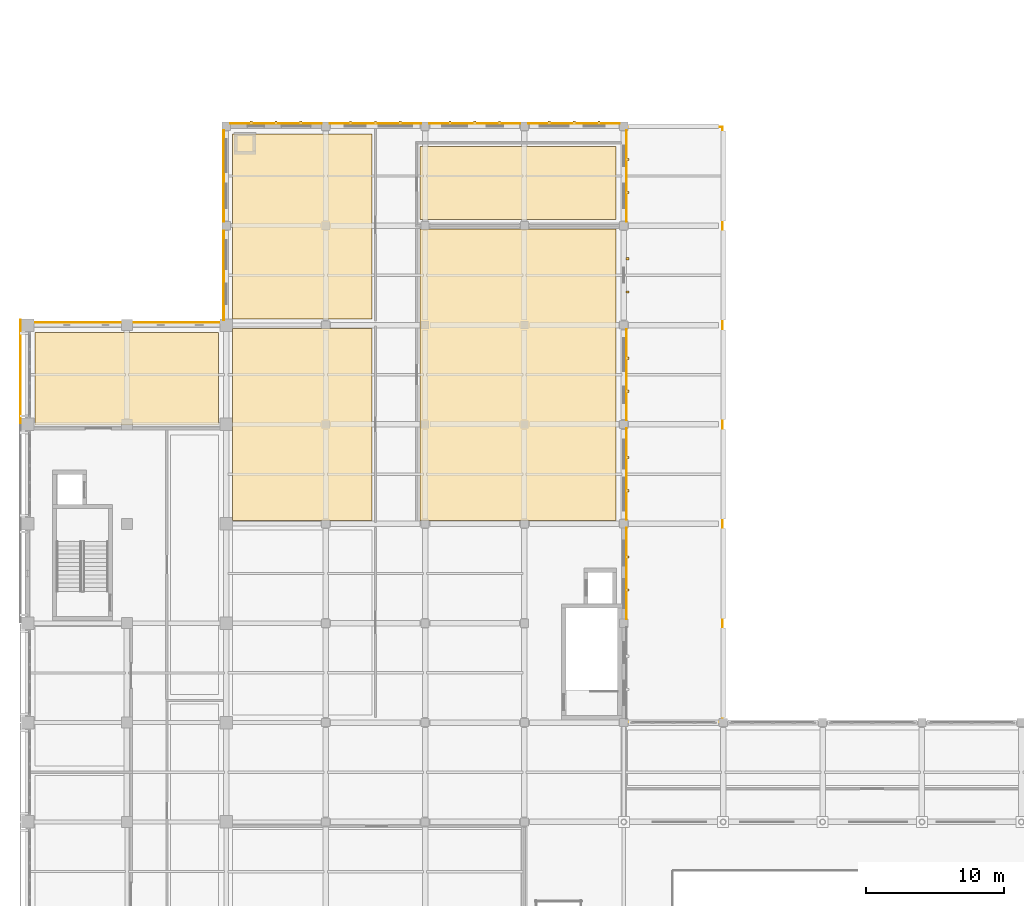
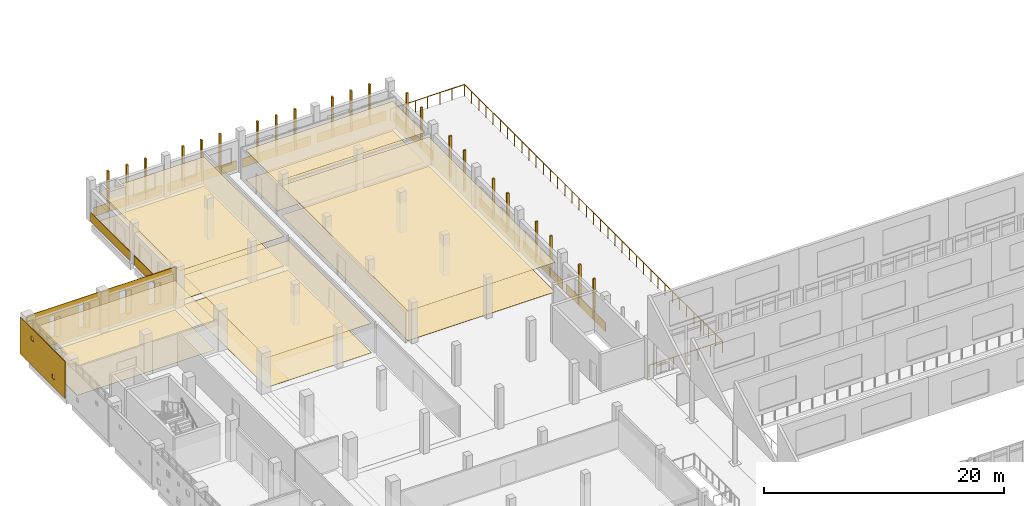
# One storey, part 59 of 62: 22 coverings, 22 shading devices, 1 railing.
"""IFC4 building model written with IfcOpenShell, lengths in metres."""

from ifc_helpers import new_model, si_unit, direction, frame, origin, origin_2d, place, context, subcontext, project, spatial, polyline, rectangle, circle, outline, extrude, material, layer, layer_set, type_object, element, save


model = new_model("IFC4")

# Units and contexts
model_context = context("Model", 3, precision=1e-05, world=origin(), true_north=direction((0.0, 1.0)))
body_context = subcontext(model_context, "Body", "Model", "MODEL_VIEW")
ifc_project = project(units=[si_unit("LENGTHUNIT", "METRE"), si_unit("AREAUNIT", "SQUARE_METRE"), si_unit("VOLUMEUNIT", "CUBIC_METRE"), si_unit("PLANEANGLEUNIT", "RADIAN"), si_unit("MASSUNIT", "GRAM", prefix="KILO")], contexts=[model_context])

# Site, building, storey
site_placement = place(None, origin())
site = spatial("IfcSite", under=ifc_project, at=site_placement, CompositionType="ELEMENT")
building_placement = place(site_placement, origin())
building = spatial("IfcBuilding", under=site, at=building_placement, Name="Valkovuoma Quantum and Materials Research Institute", CompositionType="ELEMENT")
storey_placement = place(building_placement, frame((0.0, 0.0, 13.1201171875)))
storey = spatial("IfcBuildingStorey", under=building, at=storey_placement, Name="L03", CompositionType="ELEMENT", Elevation=13.1201171875)

# Coverings
ifc_material_1 = material(Name="Cleanable acoustic mineral-fibre suspended ceiling", Category="masonry")
ifc_layer_1 = layer(ifc_material_1, 0.02490234375)
ifc_layer_set_1 = layer_set([ifc_layer_1], Name="Cleanable acoustic mineral-fibre suspended ceiling")
covering_type_1 = type_object("IfcCoveringType", Name="Cov-CEIL-01", PredefinedType="CEILING", material=ifc_layer_set_1)
covering_1_placement = place(storey_placement, frame((0.0, 0.0, 3.0)))
element("IfcCovering", 1, at=covering_1_placement, inside=storey, type_object=covering_type_1, Name="L03 acoustic ceiling 0084", PredefinedType="CEILING", context=body_context, shape_type="SweptSolid", body=[
    extrude(outline(polyline([(0.550048828125, 86.35009765625), (13.85009765625, 86.35009765625), (13.85009765625, 93.050048828125), (0.550048828125, 93.050048828125), (0.550048828125, 86.35009765625)])), origin(), (0.0, 0.0, 1.0), 0.02490234375),
])
covering_2_placement = place(storey_placement, frame((0.0, 0.0, 3.0)))
element("IfcCovering", 2, at=covering_2_placement, inside=storey, type_object=covering_type_1, Name="L03 acoustic ceiling 0093", PredefinedType="CEILING", context=body_context, shape_type="SweptSolid", body=[
    extrude(outline(polyline([(14.85009765625, 79.449951171875), (24.949951171875, 79.449951171875), (24.949951171875, 93.35009765625), (14.85009765625, 93.35009765625), (14.85009765625, 79.449951171875)])), origin(), (0.0, 0.0, 1.0), 0.02490234375),
])
covering_3_placement = place(storey_placement, frame((0.0, 0.0, 3.0)))
element("IfcCovering", 3, at=covering_3_placement, inside=storey, type_object=covering_type_1, Name="L03 acoustic ceiling 0094", PredefinedType="CEILING", context=body_context, shape_type="SweptSolid", body=[
    extrude(outline(polyline([(14.85009765625, 94.050048828125), (24.949951171875, 94.050048828125), (24.949951171875, 107.449951171875), (14.85009765625, 107.449951171875), (14.85009765625, 94.050048828125)])), origin(), (0.0, 0.0, 1.0), 0.02490234375),
])
covering_4_placement = place(storey_placement, frame((0.0, 0.0, 3.0)))
element("IfcCovering", 4, at=covering_4_placement, inside=storey, type_object=covering_type_1, Name="L03 acoustic ceiling 0095", PredefinedType="CEILING", context=body_context, shape_type="SweptSolid", body=[
    extrude(outline(polyline([(28.449951171875, 79.449951171875), (42.64990234375, 79.449951171875), (42.64990234375, 100.550048828125), (28.449951171875, 100.550048828125), (28.449951171875, 79.449951171875)])), origin(), (0.0, 0.0, 1.0), 0.02490234375),
])
covering_5_placement = place(storey_placement, frame((0.0, 0.0, 3.0)))
element("IfcCovering", 5, at=covering_5_placement, inside=storey, type_object=covering_type_1, Name="L03 acoustic ceiling 0096", PredefinedType="CEILING", context=body_context, shape_type="SweptSolid", body=[
    extrude(outline(polyline([(28.449951171875, 101.25), (42.64990234375, 101.25), (42.64990234375, 106.550048828125), (28.449951171875, 106.550048828125), (28.449951171875, 101.25)])), origin(), (0.0, 0.0, 1.0), 0.02490234375),
])
ifc_material_2 = material(Name="Seamless dissipative laboratory resin flooring", Category="masonry")
ifc_layer_2 = layer(ifc_material_2, 0.014892578125)
ifc_layer_set_2 = layer_set([ifc_layer_2], Name="Seamless dissipative laboratory resin flooring")
covering_type_2 = type_object("IfcCoveringType", Name="Cov-FLOR-01", PredefinedType="FLOORING", material=ifc_layer_set_2)
covering_6_placement = place(storey_placement, origin())
element("IfcCovering", 6, at=covering_6_placement, inside=storey, type_object=covering_type_2, Name="L03 resin flooring 0084", PredefinedType="FLOORING", context=body_context, shape_type="SweptSolid", body=[
    extrude(outline(polyline([(0.550048828125, 86.35009765625), (13.85009765625, 86.35009765625), (13.85009765625, 93.050048828125), (0.550048828125, 93.050048828125), (0.550048828125, 86.35009765625)])), origin(), (0.0, 0.0, 1.0), 0.014892578125),
])
covering_7_placement = place(storey_placement, origin())
element("IfcCovering", 7, at=covering_7_placement, inside=storey, type_object=covering_type_2, Name="L03 resin flooring 0093", PredefinedType="FLOORING", context=body_context, shape_type="SweptSolid", body=[
    extrude(outline(polyline([(14.85009765625, 79.449951171875), (24.949951171875, 79.449951171875), (24.949951171875, 93.35009765625), (14.85009765625, 93.35009765625), (14.85009765625, 79.449951171875)])), origin(), (0.0, 0.0, 1.0), 0.014892578125),
])
covering_8_placement = place(storey_placement, origin())
element("IfcCovering", 8, at=covering_8_placement, inside=storey, type_object=covering_type_2, Name="L03 resin flooring 0094", PredefinedType="FLOORING", context=body_context, shape_type="SweptSolid", body=[
    extrude(outline(polyline([(14.85009765625, 94.050048828125), (24.949951171875, 94.050048828125), (24.949951171875, 107.449951171875), (14.85009765625, 107.449951171875), (14.85009765625, 94.050048828125)])), origin(), (0.0, 0.0, 1.0), 0.014892578125),
])
covering_9_placement = place(storey_placement, origin())
element("IfcCovering", 9, at=covering_9_placement, inside=storey, type_object=covering_type_2, Name="L03 resin flooring 0095", PredefinedType="FLOORING", context=body_context, shape_type="SweptSolid", body=[
    extrude(outline(polyline([(28.449951171875, 79.449951171875), (42.64990234375, 79.449951171875), (42.64990234375, 100.550048828125), (28.449951171875, 100.550048828125), (28.449951171875, 79.449951171875)])), origin(), (0.0, 0.0, 1.0), 0.014892578125),
])
covering_10_placement = place(storey_placement, origin())
element("IfcCovering", 10, at=covering_10_placement, inside=storey, type_object=covering_type_2, Name="L03 resin flooring 0096", PredefinedType="FLOORING", context=body_context, shape_type="SweptSolid", body=[
    extrude(outline(polyline([(28.449951171875, 101.25), (42.64990234375, 101.25), (42.64990234375, 106.550048828125), (28.449951171875, 106.550048828125), (28.449951171875, 101.25)])), origin(), (0.0, 0.0, 1.0), 0.014892578125),
])
ifc_material_3 = material(Name="White powder-coated aluminium architectural panel", Category="aluminium")
ifc_layer_3 = layer(ifc_material_3, 0.054931640625)
ifc_layer_set_3 = layer_set([ifc_layer_3], Name="White powder-coated aluminium architectural panel")
covering_type_3 = type_object("IfcCoveringType", Name="Cov-PERF-SPARSE", PredefinedType="CLADDING", material=ifc_layer_set_3)
covering_11_placement = place(storey_placement, frame((-0.52001953125, 86.4599609375, 0.019775390625), z_axis=(0.0, 0.0, 1.0), x_axis=(0.0, 1.0, 0.0)))
element("IfcCovering", 11, at=covering_11_placement, inside=storey, type_object=covering_type_3, Name="L03 graduated perforated white screen W-0036", PredefinedType="CLADDING", context=body_context, shape_type="SweptSolid", body=[
    extrude(outline(polyline([(0.0, 0.0), (7.52001953125, 0.0), (7.52001953125, 3.77001953125), (0.0, 3.77001953125), (0.0, 0.0)]), holes=[polyline([(1.7451171875, 0.802490234375), (1.7451171875, 1.202392578125), (2.14501953125, 1.202392578125), (2.14501953125, 0.802490234375), (1.7451171875, 0.802490234375)]), polyline([(5.2548828125, 2.5673828125), (5.2548828125, 2.967529296875), (5.655029296875, 2.967529296875), (5.655029296875, 2.5673828125), (5.2548828125, 2.5673828125)])]), frame((0.0, 0.02734375, 0.0), z_axis=(0.0, -1.0, 0.0), x_axis=(1.0, 0.0, 0.0)), (0.0, 0.0, 1.0), 0.054931640625),
])
ifc_material_4 = material(Name="Thermally modified Nordic pine timber rainscreen cladding", Category="wood")
ifc_layer_4 = layer(ifc_material_4, 0.044921875)
ifc_layer_set_4 = layer_set([ifc_layer_4], Name="Thermally modified Nordic pine timber rainscreen cladding")
covering_type_4 = type_object("IfcCoveringType", Name="Cov-TIMB-01", PredefinedType="CLADDING", material=ifc_layer_set_4)
for number, where, z_axis, x_axis, name in (
    (12, (18.0, 108.18994140625, 0.02001953125), (0.0, 0.0, 1.0), (1.0, 0.0, 0.0), "L03 Nordic pine spandrel N-038"),
    (13, (25.199951171875, 108.18994140625, 0.02001953125), (0.0, 0.0, 1.0), (1.0, 0.0, 0.0), "L03 Nordic pine spandrel N-039"),
    (14, (32.39990234375, 108.18994140625, 0.02001953125), (0.0, 0.0, 1.0), (1.0, 0.0, 0.0), "L03 Nordic pine spandrel N-040"),
    (15, (39.60009765625, 108.18994140625, 0.02001953125), (0.0, 0.0, 1.0), (1.0, 0.0, 0.0), "L03 Nordic pine spandrel N-041"),
):
    element("IfcCovering", number, at=place(storey_placement, frame(where, z_axis=z_axis, x_axis=x_axis)), inside=storey, type_object=covering_type_4, Name=name, PredefinedType="CLADDING", context=body_context, shape_type="SweptSolid", body=[
        extrude(rectangle(XDim=6.6201171875, YDim=0.044921875, at=origin_2d()), origin(), (0.0, 0.0, 1.0), 0.919921875),
    ])
for number, where, z_axis, x_axis, name in (
    (16, (43.389892578125, 75.60009765625, 0.02001953125), (0.0, 0.0, 1.0), (1.0, 0.0, 0.0), "L03 Nordic pine spandrel E-043"),
    (17, (43.389892578125, 82.800048828125, 0.02001953125), (0.0, 0.0, 1.0), (1.0, 0.0, 0.0), "L03 Nordic pine spandrel E-044"),
    (18, (43.389892578125, 90.0, 0.02001953125), (0.0, 0.0, 1.0), (1.0, 0.0, 0.0), "L03 Nordic pine spandrel E-045"),
    (19, (43.389892578125, 104.39990234375, 0.02001953125), (0.0, 0.0, 1.0), (1.0, 0.0, 0.0), "L03 Nordic pine spandrel E-046"),
):
    element("IfcCovering", number, at=place(storey_placement, frame(where, z_axis=z_axis, x_axis=x_axis)), inside=storey, type_object=covering_type_4, Name=name, PredefinedType="CLADDING", context=body_context, shape_type="SweptSolid", body=[
        extrude(rectangle(XDim=0.044921875, YDim=6.6201171875, at=origin_2d()), origin(), (0.0, 0.0, 1.0), 0.919921875),
    ])
covering_12_placement = place(storey_placement, frame((14.2099609375, 97.199951171875, 0.02001953125), z_axis=(0.0, 0.0, 1.0), x_axis=(1.0, 0.0, 0.0)))
element("IfcCovering", 20, at=covering_12_placement, inside=storey, type_object=covering_type_4, Name="L03 Nordic pine spandrel W-047", PredefinedType="CLADDING", context=body_context, shape_type="SweptSolid", body=[
    extrude(rectangle(XDim=0.044921875, YDim=6.469970703125, at=origin_2d()), origin(), (0.0, 0.0, 1.0), 0.919921875),
])
covering_13_placement = place(storey_placement, frame((14.2099609375, 104.39990234375, 0.02001953125), z_axis=(0.0, 0.0, 1.0), x_axis=(1.0, 0.0, 0.0)))
element("IfcCovering", 21, at=covering_13_placement, inside=storey, type_object=covering_type_4, Name="L03 Nordic pine spandrel W-048", PredefinedType="CLADDING", context=body_context, shape_type="SweptSolid", body=[
    extrude(rectangle(XDim=0.044921875, YDim=6.6201171875, at=origin_2d()), origin(), (0.0, 0.0, 1.0), 0.919921875),
])
ifc_material_5 = material(Name="White powder-coated aluminium architectural panel", Category="aluminium")
ifc_layer_5 = layer(ifc_material_5, 0.054931640625)
ifc_layer_set_5 = layer_set([ifc_layer_5], Name="White powder-coated aluminium architectural panel")
covering_type_5 = type_object("IfcCoveringType", Name="Cov-WHITE-01", PredefinedType="CLADDING", material=ifc_layer_set_5)
covering_14_placement = place(storey_placement, frame((0.0, 93.78759765625, 0.0), z_axis=(0.0, 0.0, 1.0), x_axis=(1.0, 0.0, 0.0)))
element("IfcCovering", 22, at=covering_14_placement, inside=storey, type_object=covering_type_5, Name="L03 north white slot-window end skin", PredefinedType="CLADDING", context=body_context, shape_type="SweptSolid", body=[
    extrude(outline(polyline([(0.0, 0.0), (14.39990234375, 0.0), (14.39990234375, 3.809814453125), (0.0, 3.809814453125), (0.0, 0.0)]), holes=[polyline([(2.155029296875, 0.830078125), (2.155029296875, 2.969970703125), (2.64501953125, 2.969970703125), (2.64501953125, 0.830078125), (2.155029296875, 0.830078125)]), polyline([(4.955078125, 0.830078125), (4.955078125, 3.27001953125), (5.445068359375, 3.27001953125), (5.445068359375, 0.830078125), (4.955078125, 0.830078125)]), polyline([(8.929931640625, 0.830078125), (8.929931640625, 3.27001953125), (9.469970703125, 3.27001953125), (9.469970703125, 0.830078125), (8.929931640625, 0.830078125)]), polyline([(11.705078125, 0.830078125), (11.705078125, 3.070068359375), (12.294921875, 3.070068359375), (12.294921875, 0.830078125), (11.705078125, 0.830078125)])]), frame((0.0, 0.02734375, 0.0), z_axis=(0.0, -1.0, 0.0), x_axis=(1.0, 0.0, 0.0)), (0.0, 0.0, 1.0), 0.054931640625),
])

# Railing
ifc_material_6 = material(Name="Hot-dip galvanised and powder-coated steel guardrail", Category="steel")
railing_type = type_object("IfcRailingType", Name="Rail-GRD-EXT", PredefinedType="BALUSTRADE", material=ifc_material_6)
railing_placement = place(storey_placement, frame((43.25, 107.949951171875, 0.0)))
element("IfcRailing", 23, at=railing_placement, inside=storey, type_object=railing_type, Name="L03 perimeter balustrade 01", PredefinedType="BALUSTRADE", context=body_context, shape_type="SweptSolid", body=[
    extrude(circle(Radius=0.02392578125, at=origin_2d()), frame((0.0, 0.0, 1.17578125), z_axis=(1.0, 0.0, 0.0), x_axis=(0.0, 1.0, 0.0)), (0.0, 0.0, 1.0), 7.10009765625),
    extrude(circle(Radius=0.02392578125, at=origin_2d()), frame((7.10009765625, 0.0, 1.17578125), z_axis=(0.0, -1.0, 0.0), x_axis=(1.0, 0.0, 0.0)), (0.0, 0.0, 1.0), 43.099853515625),
    extrude(circle(Radius=0.02392578125, at=origin_2d()), frame((7.10009765625, -43.099853515625, 1.17578125), z_axis=(-1.0, 0.0, 0.0), x_axis=(0.0, -1.0, 0.0)), (0.0, 0.0, 1.0), 7.10009765625),
    extrude(circle(Radius=0.02099609375, at=origin_2d()), origin(), (0.0, 0.0, 1.0), 1.15185546875),
    extrude(circle(Radius=0.02099609375, at=origin_2d()), frame((1.183349609375, 0.0, 0.0)), (0.0, 0.0, 1.0), 1.15185546875),
    extrude(circle(Radius=0.02099609375, at=origin_2d()), frame((2.36669921875, 0.0, 0.0)), (0.0, 0.0, 1.0), 1.15185546875),
    extrude(circle(Radius=0.02099609375, at=origin_2d()), frame((3.550048828125, 0.0, 0.0)), (0.0, 0.0, 1.0), 1.15185546875),
    extrude(circle(Radius=0.02099609375, at=origin_2d()), frame((4.7333984375, 0.0, 0.0)), (0.0, 0.0, 1.0), 1.15185546875),
    extrude(circle(Radius=0.02099609375, at=origin_2d()), frame((5.916748046875, 0.0, 0.0)), (0.0, 0.0, 1.0), 1.15185546875),
    extrude(circle(Radius=0.02099609375, at=origin_2d()), frame((7.10009765625, 0.0, 0.0)), (0.0, 0.0, 1.0), 1.15185546875),
    extrude(circle(Radius=0.02099609375, at=origin_2d()), frame((7.10009765625, -1.197265625, 0.0)), (0.0, 0.0, 1.0), 1.15185546875),
    extrude(circle(Radius=0.02099609375, at=origin_2d()), frame((7.10009765625, -2.39453125, 0.0)), (0.0, 0.0, 1.0), 1.15185546875),
    extrude(circle(Radius=0.02099609375, at=origin_2d()), frame((7.10009765625, -3.591552734375, 0.0)), (0.0, 0.0, 1.0), 1.15185546875),
    extrude(circle(Radius=0.02099609375, at=origin_2d()), frame((7.10009765625, -4.788818359375, 0.0)), (0.0, 0.0, 1.0), 1.15185546875),
    extrude(circle(Radius=0.02099609375, at=origin_2d()), frame((7.10009765625, -5.986083984375, 0.0)), (0.0, 0.0, 1.0), 1.15185546875),
    extrude(circle(Radius=0.02099609375, at=origin_2d()), frame((7.10009765625, -7.183349609375, 0.0)), (0.0, 0.0, 1.0), 1.15185546875),
    extrude(circle(Radius=0.02099609375, at=origin_2d()), frame((7.10009765625, -8.380615234375, 0.0)), (0.0, 0.0, 1.0), 1.15185546875),
    extrude(circle(Radius=0.02099609375, at=origin_2d()), frame((7.10009765625, -9.57763671875, 0.0)), (0.0, 0.0, 1.0), 1.15185546875),
    extrude(circle(Radius=0.02099609375, at=origin_2d()), frame((7.10009765625, -10.77490234375, 0.0)), (0.0, 0.0, 1.0), 1.15185546875),
    extrude(circle(Radius=0.02099609375, at=origin_2d()), frame((7.10009765625, -11.97216796875, 0.0)), (0.0, 0.0, 1.0), 1.15185546875),
    extrude(circle(Radius=0.02099609375, at=origin_2d()), frame((7.10009765625, -13.16943359375, 0.0)), (0.0, 0.0, 1.0), 1.15185546875),
    extrude(circle(Radius=0.02099609375, at=origin_2d()), frame((7.10009765625, -14.36669921875, 0.0)), (0.0, 0.0, 1.0), 1.15185546875),
    extrude(circle(Radius=0.02099609375, at=origin_2d()), frame((7.10009765625, -15.563720703125, 0.0)), (0.0, 0.0, 1.0), 1.15185546875),
    extrude(circle(Radius=0.02099609375, at=origin_2d()), frame((7.10009765625, -16.760986328125, 0.0)), (0.0, 0.0, 1.0), 1.15185546875),
    extrude(circle(Radius=0.02099609375, at=origin_2d()), frame((7.10009765625, -17.958251953125, 0.0)), (0.0, 0.0, 1.0), 1.15185546875),
    extrude(circle(Radius=0.02099609375, at=origin_2d()), frame((7.10009765625, -19.155517578125, 0.0)), (0.0, 0.0, 1.0), 1.15185546875),
    extrude(circle(Radius=0.02099609375, at=origin_2d()), frame((7.10009765625, -20.352783203125, 0.0)), (0.0, 0.0, 1.0), 1.15185546875),
    extrude(circle(Radius=0.02099609375, at=origin_2d()), frame((7.10009765625, -21.5498046875, 0.0)), (0.0, 0.0, 1.0), 1.15185546875),
    extrude(circle(Radius=0.02099609375, at=origin_2d()), frame((7.10009765625, -22.7470703125, 0.0)), (0.0, 0.0, 1.0), 1.15185546875),
    extrude(circle(Radius=0.02099609375, at=origin_2d()), frame((7.10009765625, -23.9443359375, 0.0)), (0.0, 0.0, 1.0), 1.15185546875),
    extrude(circle(Radius=0.02099609375, at=origin_2d()), frame((7.10009765625, -25.1416015625, 0.0)), (0.0, 0.0, 1.0), 1.15185546875),
    extrude(circle(Radius=0.02099609375, at=origin_2d()), frame((7.10009765625, -26.3388671875, 0.0)), (0.0, 0.0, 1.0), 1.15185546875),
    extrude(circle(Radius=0.02099609375, at=origin_2d()), frame((7.10009765625, -27.5361328125, 0.0)), (0.0, 0.0, 1.0), 1.15185546875),
    extrude(circle(Radius=0.02099609375, at=origin_2d()), frame((7.10009765625, -28.733154296875, 0.0)), (0.0, 0.0, 1.0), 1.15185546875),
    extrude(circle(Radius=0.02099609375, at=origin_2d()), frame((7.10009765625, -29.930419921875, 0.0)), (0.0, 0.0, 1.0), 1.15185546875),
    extrude(circle(Radius=0.02099609375, at=origin_2d()), frame((7.10009765625, -31.127685546875, 0.0)), (0.0, 0.0, 1.0), 1.15185546875),
    extrude(circle(Radius=0.02099609375, at=origin_2d()), frame((7.10009765625, -32.324951171875, 0.0)), (0.0, 0.0, 1.0), 1.15185546875),
    extrude(circle(Radius=0.02099609375, at=origin_2d()), frame((7.10009765625, -33.522216796875, 0.0)), (0.0, 0.0, 1.0), 1.15185546875),
    extrude(circle(Radius=0.02099609375, at=origin_2d()), frame((7.10009765625, -34.71923828125, 0.0)), (0.0, 0.0, 1.0), 1.15185546875),
    extrude(circle(Radius=0.02099609375, at=origin_2d()), frame((7.10009765625, -35.91650390625, 0.0)), (0.0, 0.0, 1.0), 1.15185546875),
    extrude(circle(Radius=0.02099609375, at=origin_2d()), frame((7.10009765625, -37.11376953125, 0.0)), (0.0, 0.0, 1.0), 1.15185546875),
    extrude(circle(Radius=0.02099609375, at=origin_2d()), frame((7.10009765625, -38.31103515625, 0.0)), (0.0, 0.0, 1.0), 1.15185546875),
    extrude(circle(Radius=0.02099609375, at=origin_2d()), frame((7.10009765625, -39.50830078125, 0.0)), (0.0, 0.0, 1.0), 1.15185546875),
    extrude(circle(Radius=0.02099609375, at=origin_2d()), frame((7.10009765625, -40.705322265625, 0.0)), (0.0, 0.0, 1.0), 1.15185546875),
    extrude(circle(Radius=0.02099609375, at=origin_2d()), frame((7.10009765625, -41.902587890625, 0.0)), (0.0, 0.0, 1.0), 1.15185546875),
    extrude(circle(Radius=0.02099609375, at=origin_2d()), frame((7.10009765625, -43.099853515625, 0.0)), (0.0, 0.0, 1.0), 1.15185546875),
    extrude(circle(Radius=0.02099609375, at=origin_2d()), frame((5.916748046875, -43.099853515625, 0.0)), (0.0, 0.0, 1.0), 1.15185546875),
    extrude(circle(Radius=0.02099609375, at=origin_2d()), frame((4.7333984375, -43.099853515625, 0.0)), (0.0, 0.0, 1.0), 1.15185546875),
    extrude(circle(Radius=0.02099609375, at=origin_2d()), frame((3.550048828125, -43.099853515625, 0.0)), (0.0, 0.0, 1.0), 1.15185546875),
    extrude(circle(Radius=0.02099609375, at=origin_2d()), frame((2.36669921875, -43.099853515625, 0.0)), (0.0, 0.0, 1.0), 1.15185546875),
    extrude(circle(Radius=0.02099609375, at=origin_2d()), frame((1.183349609375, -43.099853515625, 0.0)), (0.0, 0.0, 1.0), 1.15185546875),
    extrude(circle(Radius=0.02099609375, at=origin_2d()), frame((0.0, -43.099853515625, 0.0)), (0.0, 0.0, 1.0), 1.15185546875),
])

# Shading devices
ifc_material_7 = material(Name="Powder-coated white perforated architectural aluminium panel", Category="aluminium")
ifc_layer_6 = layer(ifc_material_7, 0.050048828125)
ifc_layer_set_6 = layer_set([ifc_layer_6], Name="Powder-coated white perforated architectural aluminium panel")
shading_device_type = type_object("IfcShadingDeviceType", Name="Screen-SCR-MID", PredefinedType="JALOUSIE", material=ifc_layer_set_6)
for number, where, z_axis, x_axis, name in (
    (24, (16.199951171875, 108.27001953125, 0.0), (0.0, 0.0, 1.0), (1.0, 0.0, 0.0), "L03 cleanroom facade vertical fin N-0080"),
    (25, (18.0, 108.27001953125, 0.0), (0.0, 0.0, 1.0), (1.0, 0.0, 0.0), "L03 cleanroom facade vertical fin N-0081"),
    (26, (19.800048828125, 108.27001953125, 0.0), (0.0, 0.0, 1.0), (1.0, 0.0, 0.0), "L03 cleanroom facade vertical fin N-0082"),
    (27, (23.39990234375, 108.27001953125, 0.0), (0.0, 0.0, 1.0), (1.0, 0.0, 0.0), "L03 cleanroom facade vertical fin N-0083"),
    (28, (25.199951171875, 108.27001953125, 0.0), (0.0, 0.0, 1.0), (1.0, 0.0, 0.0), "L03 cleanroom facade vertical fin N-0084"),
    (29, (27.0, 108.27001953125, 0.0), (0.0, 0.0, 1.0), (1.0, 0.0, 0.0), "L03 cleanroom facade vertical fin N-0085"),
    (30, (30.60009765625, 108.27001953125, 0.0), (0.0, 0.0, 1.0), (1.0, 0.0, 0.0), "L03 cleanroom facade vertical fin N-0086"),
    (31, (32.39990234375, 108.27001953125, 0.0), (0.0, 0.0, 1.0), (1.0, 0.0, 0.0), "L03 cleanroom facade vertical fin N-0087"),
    (32, (34.199951171875, 108.27001953125, 0.0), (0.0, 0.0, 1.0), (1.0, 0.0, 0.0), "L03 cleanroom facade vertical fin N-0088"),
    (33, (37.800048828125, 108.27001953125, 0.0), (0.0, 0.0, 1.0), (1.0, 0.0, 0.0), "L03 cleanroom facade vertical fin N-0089"),
    (34, (39.60009765625, 108.27001953125, 0.0), (0.0, 0.0, 1.0), (1.0, 0.0, 0.0), "L03 cleanroom facade vertical fin N-0090"),
    (35, (41.39990234375, 108.27001953125, 0.0), (0.0, 0.0, 1.0), (1.0, 0.0, 0.0), "L03 cleanroom facade vertical fin N-0091"),
):
    element("IfcShadingDevice", number, at=place(storey_placement, frame(where, z_axis=z_axis, x_axis=x_axis)), inside=storey, type_object=shading_device_type, Name=name, PredefinedType="JALOUSIE", context=body_context, shape_type="SweptSolid", body=[
        extrude(rectangle(XDim=0.159912109375, YDim=0.219970703125, at=origin_2d()), origin(), (0.0, 0.0, 1.0), 4.159912109375),
    ])
for number, where, z_axis, x_axis, name in (
    (36, (43.469970703125, 74.39990234375, 0.0), (0.0, 0.0, 1.0), (1.0, 0.0, 0.0), "L03 cleanroom facade vertical fin E-0094"),
    (37, (43.469970703125, 76.800048828125, 0.0), (0.0, 0.0, 1.0), (1.0, 0.0, 0.0), "L03 cleanroom facade vertical fin E-0095"),
    (38, (43.469970703125, 81.60009765625, 0.0), (0.0, 0.0, 1.0), (1.0, 0.0, 0.0), "L03 cleanroom facade vertical fin E-0096"),
    (39, (43.469970703125, 84.0, 0.0), (0.0, 0.0, 1.0), (1.0, 0.0, 0.0), "L03 cleanroom facade vertical fin E-0097"),
    (40, (43.469970703125, 88.800048828125, 0.0), (0.0, 0.0, 1.0), (1.0, 0.0, 0.0), "L03 cleanroom facade vertical fin E-0098"),
    (41, (43.469970703125, 91.199951171875, 0.0), (0.0, 0.0, 1.0), (1.0, 0.0, 0.0), "L03 cleanroom facade vertical fin E-0099"),
    (42, (43.469970703125, 96.0, 0.0), (0.0, 0.0, 1.0), (1.0, 0.0, 0.0), "L03 cleanroom facade vertical fin E-0100"),
    (43, (43.469970703125, 98.39990234375, 0.0), (0.0, 0.0, 1.0), (1.0, 0.0, 0.0), "L03 cleanroom facade vertical fin E-0101"),
    (44, (43.469970703125, 103.199951171875, 0.0), (0.0, 0.0, 1.0), (1.0, 0.0, 0.0), "L03 cleanroom facade vertical fin E-0102"),
    (45, (43.469970703125, 105.60009765625, 0.0), (0.0, 0.0, 1.0), (1.0, 0.0, 0.0), "L03 cleanroom facade vertical fin E-0103"),
):
    element("IfcShadingDevice", number, at=place(storey_placement, frame(where, z_axis=z_axis, x_axis=x_axis)), inside=storey, type_object=shading_device_type, Name=name, PredefinedType="JALOUSIE", context=body_context, shape_type="SweptSolid", body=[
        extrude(rectangle(XDim=0.219970703125, YDim=0.159912109375, at=origin_2d()), origin(), (0.0, 0.0, 1.0), 4.159912109375),
    ])

save(model, "model.ifc")
